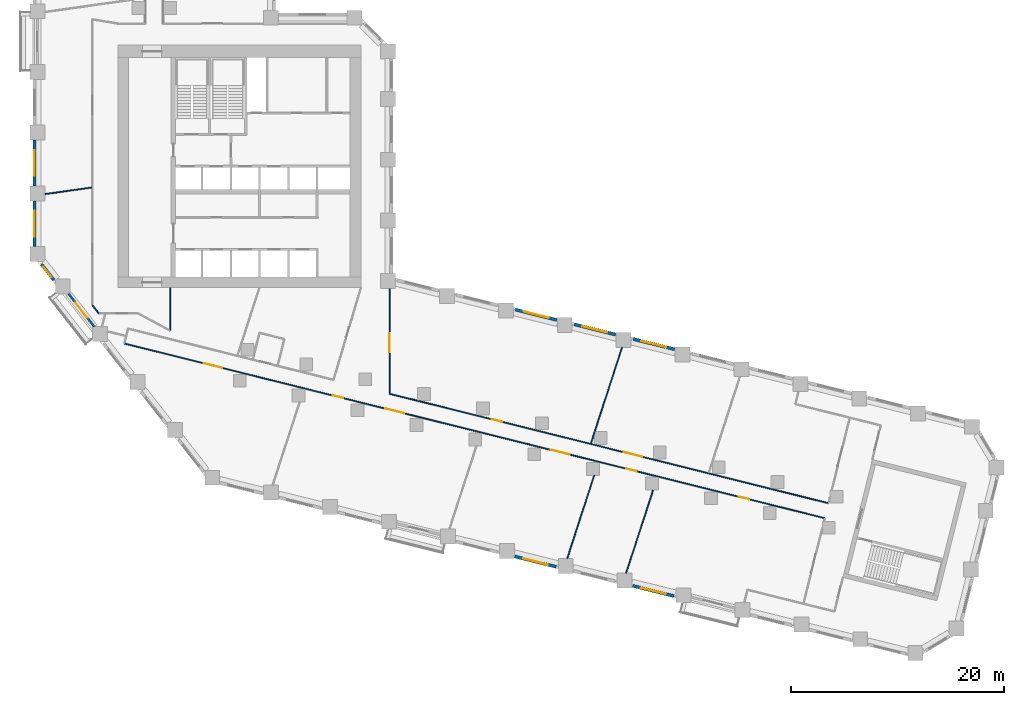
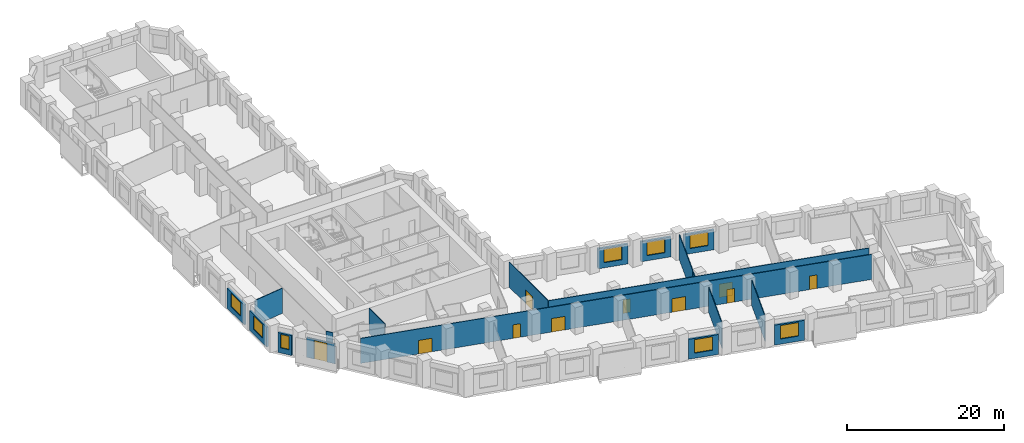
# One storey, part 4 of 12: 19 walls, 10 doors, 8 windows, 18 openings.
"""IFC4 building model written with IfcOpenShell, lengths in metres."""

from ifc_helpers import new_model, si_unit, direction, frame, frame_2d, origin, place, context, subcontext, project, spatial, rectangle, extrude, material, layer, layer_set, type_object, element, fill, save


model = new_model("IFC4")

# Units and contexts
model_context = context("Model", 3, precision=1e-05, world=origin(), true_north=direction((0.0, 1.0)))
body_context = subcontext(model_context, "Body", "Model", "MODEL_VIEW")
ifc_project = project(units=[si_unit("LENGTHUNIT", "METRE"), si_unit("AREAUNIT", "SQUARE_METRE"), si_unit("VOLUMEUNIT", "CUBIC_METRE"), si_unit("PLANEANGLEUNIT", "RADIAN"), si_unit("MASSUNIT", "GRAM", prefix="KILO")], contexts=[model_context])

# Site, building, storey
site_placement = place(None, origin())
site = spatial("IfcSite", under=ifc_project, at=site_placement, CompositionType="ELEMENT")
building_placement = place(site_placement, origin())
building = spatial("IfcBuilding", under=site, at=building_placement, Name="Meshkara Civic Tower", CompositionType="ELEMENT")
storey_placement = place(building_placement, frame((0.0, 0.0, 58.199951171875)))
storey = spatial("IfcBuildingStorey", under=building, at=storey_placement, Name="L12", CompositionType="ELEMENT", Elevation=58.199951171875)

# Wall
ifc_material_1 = material(Name="Corridor wall 100")
ifc_layer_1 = layer(ifc_material_1, 0.10009765625)
ifc_layer_set_1 = layer_set([ifc_layer_1], Name="Corridor wall 100")
wall_type_1 = type_object("IfcWallType", Name="Corridor wall 100", PredefinedType="PARTITIONING", material=ifc_layer_set_1)
wall_1_placement = place(storey_placement, frame((5.60009765625, 12.448974609375, 0.0), z_axis=(0.0, 0.0, 1.0), x_axis=(0.615504449569, -0.788133410383, 0.0)))
element("IfcWall", 1, at=wall_1_placement, inside=storey, type_object=wall_type_1, Name="L12-W003", PredefinedType="PARTITIONING", context=body_context, shape_type="SweptSolid", body=[
    extrude(rectangle(XDim=0.950439453125, YDim=0.10009765625, at=frame_2d((0.47509765625, 0.0))), origin(), (0.0, 0.0, 1.0), 3.900146484375),
])

# Wall, openings, doors
wall_2_placement = place(storey_placement, frame((8.593994140625, 8.862060546875, 0.0), z_axis=(0.0, 0.0, 1.0), x_axis=(0.970293392615, -0.241931255211, 0.0)))
wall_2 = element("IfcWall", 2, at=wall_2_placement, inside=storey, type_object=wall_type_1, Name="L12-W008", PredefinedType="PARTITIONING", context=body_context, shape_type="SweptSolid", body=[
    extrude(rectangle(XDim=67.775390625, YDim=0.10009765625, at=frame_2d((33.8876953125, 0.0))), origin(), (0.0, 0.0, 1.0), 3.900146484375),
])
opening_1_placement = place(wall_2_placement, frame((41.27099609375, 0.0, 0.0)))
opening_1 = element("IfcOpeningElement", 3, at=opening_1_placement, cuts=wall_2, Name="Opening L12-D003", PredefinedType="OPENING", context=body_context, shape_type="SweptSolid", body=[
    extrude(rectangle(XDim=1.800048828125, YDim=2.10009765625, at=frame_2d((0.89990234375, 1.050048828125))), frame((0.0, 0.06005859375, 0.0), z_axis=(0.0, -1.0, 0.0), x_axis=(1.0, 0.0, 0.0)), (0.0, 0.0, 1.0), 0.1201171875),
])
opening_2_placement = place(wall_2_placement, frame((48.571044921875, 0.0, 0.0)))
opening_2 = element("IfcOpeningElement", 4, at=opening_2_placement, cuts=wall_2, Name="Opening L12-D004", PredefinedType="OPENING", context=body_context, shape_type="SweptSolid", body=[
    extrude(rectangle(XDim=1.0, YDim=2.10009765625, at=frame_2d((0.5, 1.050048828125))), frame((0.0, 0.06005859375, 0.0), z_axis=(0.0, -1.0, 0.0), x_axis=(1.0, 0.0, 0.0)), (0.0, 0.0, 1.0), 0.1201171875),
])
opening_3_placement = place(wall_2_placement, frame((59.470947265625, 0.0, 0.0)))
opening_3 = element("IfcOpeningElement", 5, at=opening_3_placement, cuts=wall_2, Name="Opening L12-D006", PredefinedType="OPENING", context=body_context, shape_type="SweptSolid", body=[
    extrude(rectangle(XDim=1.0, YDim=2.10009765625, at=frame_2d((0.5, 1.050048828125))), frame((0.0, 0.06005859375, 0.0), z_axis=(0.0, -1.0, 0.0), x_axis=(1.0, 0.0, 0.0)), (0.0, 0.0, 1.0), 0.1201171875),
])
opening_4_placement = place(wall_2_placement, frame((20.1708984375, 0.0, 0.0)))
opening_4 = element("IfcOpeningElement", 6, at=opening_4_placement, cuts=wall_2, Name="Opening L12-D009", PredefinedType="OPENING", context=body_context, shape_type="SweptSolid", body=[
    extrude(rectangle(XDim=1.0, YDim=2.10009765625, at=frame_2d((0.5, 1.050048828125))), frame((0.0, 0.06005859375, 0.0), z_axis=(0.0, -1.0, 0.0), x_axis=(1.0, 0.0, 0.0)), (0.0, 0.0, 1.0), 0.1201171875),
])
opening_5_placement = place(wall_2_placement, frame((25.27099609375, 0.0, 0.0)))
opening_5 = element("IfcOpeningElement", 7, at=opening_5_placement, cuts=wall_2, Name="Opening L12-D010", PredefinedType="OPENING", context=body_context, shape_type="SweptSolid", body=[
    extrude(rectangle(XDim=1.800048828125, YDim=2.10009765625, at=frame_2d((0.89990234375, 1.050048828125))), frame((0.0, 0.06005859375, 0.0), z_axis=(0.0, -1.0, 0.0), x_axis=(1.0, 0.0, 0.0)), (0.0, 0.0, 1.0), 0.1201171875),
])
opening_6_placement = place(wall_2_placement, frame((7.679931640625, 0.0, 0.0)))
opening_6 = element("IfcOpeningElement", 8, at=opening_6_placement, cuts=wall_2, Name="Opening L12-D013", PredefinedType="OPENING", context=body_context, shape_type="SweptSolid", body=[
    extrude(rectangle(XDim=1.800048828125, YDim=2.10009765625, at=frame_2d((0.89990234375, 1.050048828125))), frame((0.0, 0.06005859375, 0.0), z_axis=(0.0, -1.0, 0.0), x_axis=(1.0, 0.0, 0.0)), (0.0, 0.0, 1.0), 0.1201171875),
])
ifc_material_2 = material(Name="Door 1000 x 2100")
door_type_1 = type_object("IfcDoorType", Name="Door 1000 x 2100", OperationType="SINGLE_SWING_LEFT", PredefinedType="DOOR", material=ifc_material_2)
door_1_placement = place(opening_2_placement, origin())
door_1 = element("IfcDoor", 9, at=door_1_placement, inside=storey, type_object=door_type_1, Name="L12-D004", OperationType="SINGLE_SWING_LEFT", OverallHeight=2.10009765625, OverallWidth=1.0, PredefinedType="DOOR", context=body_context, shape_type="SweptSolid", body=[
    extrude(rectangle(XDim=1.0, YDim=2.10009765625, at=frame_2d((0.5, 1.050048828125))), frame((0.0, 0.02490234375, 0.0), z_axis=(0.0, -1.0, 0.0), x_axis=(1.0, 0.0, 0.0)), (0.0, 0.0, 1.0), 0.050048828125),
])
fill(opening_2, door_1)
door_2_placement = place(opening_3_placement, origin())
door_2 = element("IfcDoor", 10, at=door_2_placement, inside=storey, type_object=door_type_1, Name="L12-D006", OperationType="SINGLE_SWING_LEFT", OverallHeight=2.10009765625, OverallWidth=1.0, PredefinedType="DOOR", context=body_context, shape_type="SweptSolid", body=[
    extrude(rectangle(XDim=1.0, YDim=2.10009765625, at=frame_2d((0.5, 1.050048828125))), frame((0.0, 0.02490234375, 0.0), z_axis=(0.0, -1.0, 0.0), x_axis=(1.0, 0.0, 0.0)), (0.0, 0.0, 1.0), 0.050048828125),
])
fill(opening_3, door_2)
door_3_placement = place(opening_4_placement, origin())
door_3 = element("IfcDoor", 11, at=door_3_placement, inside=storey, type_object=door_type_1, Name="L12-D009", OperationType="SINGLE_SWING_RIGHT", OverallHeight=2.10009765625, OverallWidth=1.0, PredefinedType="DOOR", context=body_context, shape_type="SweptSolid", body=[
    extrude(rectangle(XDim=1.0, YDim=2.10009765625, at=frame_2d((0.5, 1.050048828125))), frame((0.0, 0.02490234375, 0.0), z_axis=(0.0, -1.0, 0.0), x_axis=(1.0, 0.0, 0.0)), (0.0, 0.0, 1.0), 0.050048828125),
])
fill(opening_4, door_3)
ifc_material_3 = material(Name="Door pair 1800 x 2100")
door_type_2 = type_object("IfcDoorType", Name="Door pair 1800 x 2100", OperationType="SINGLE_SWING_LEFT", PredefinedType="DOOR", material=ifc_material_3)
door_4_placement = place(opening_1_placement, origin())
door_4 = element("IfcDoor", 12, at=door_4_placement, inside=storey, type_object=door_type_2, Name="L12-D003", OperationType="DOUBLE_DOOR_SINGLE_SWING", OverallHeight=2.10009765625, OverallWidth=1.800048828125, PredefinedType="DOOR", context=body_context, shape_type="SweptSolid", body=[
    extrude(rectangle(XDim=1.800048828125, YDim=2.10009765625, at=frame_2d((0.89990234375, 1.050048828125))), frame((0.0, 0.02490234375, 0.0), z_axis=(0.0, -1.0, 0.0), x_axis=(1.0, 0.0, 0.0)), (0.0, 0.0, 1.0), 0.050048828125),
])
fill(opening_1, door_4)
door_5_placement = place(opening_5_placement, origin())
door_5 = element("IfcDoor", 13, at=door_5_placement, inside=storey, type_object=door_type_2, Name="L12-D010", OperationType="DOUBLE_DOOR_SINGLE_SWING", OverallHeight=2.10009765625, OverallWidth=1.800048828125, PredefinedType="DOOR", context=body_context, shape_type="SweptSolid", body=[
    extrude(rectangle(XDim=1.800048828125, YDim=2.10009765625, at=frame_2d((0.89990234375, 1.050048828125))), frame((0.0, 0.02490234375, 0.0), z_axis=(0.0, -1.0, 0.0), x_axis=(1.0, 0.0, 0.0)), (0.0, 0.0, 1.0), 0.050048828125),
])
fill(opening_5, door_5)
door_6_placement = place(opening_6_placement, origin())
door_6 = element("IfcDoor", 14, at=door_6_placement, inside=storey, type_object=door_type_2, Name="L12-D013", OperationType="DOUBLE_DOOR_SINGLE_SWING", OverallHeight=2.10009765625, OverallWidth=1.800048828125, PredefinedType="DOOR", context=body_context, shape_type="SweptSolid", body=[
    extrude(rectangle(XDim=1.800048828125, YDim=2.10009765625, at=frame_2d((0.89990234375, 1.050048828125))), frame((0.0, 0.02490234375, 0.0), z_axis=(0.0, -1.0, 0.0), x_axis=(1.0, 0.0, 0.0)), (0.0, 0.0, 1.0), 0.050048828125),
])
fill(opening_6, door_6)

# Wall
wall_3_placement = place(storey_placement, frame((12.89990234375, 10.077880859375, 0.0), z_axis=(0.0, 0.0, 1.0), x_axis=(0.0, 1.0, 0.0)))
element("IfcWall", 15, at=wall_3_placement, inside=storey, type_object=wall_type_1, Name="L12-W015", PredefinedType="PARTITIONING", context=body_context, shape_type="SweptSolid", body=[
    extrude(rectangle(XDim=4.022216796875, YDim=0.10009765625, at=frame_2d((2.01123046875, 0.0))), origin(), (0.0, 0.0, 1.0), 3.900146484375),
])

# Wall, openings, doors
wall_4_placement = place(storey_placement, frame((33.5, 4.14111328125, 0.0), z_axis=(0.0, 0.0, 1.0), x_axis=(0.970297862511, -0.241913327467, 0.0)))
wall_4 = element("IfcWall", 16, at=wall_4_placement, inside=storey, type_object=wall_type_1, Name="L12-W022", PredefinedType="PARTITIONING", context=body_context, shape_type="SweptSolid", body=[
    extrude(rectangle(XDim=42.46630859375, YDim=0.10009765625, at=frame_2d((21.233154296875, 0.0))), origin(), (0.0, 0.0, 1.0), 3.900146484375),
])
opening_7_placement = place(wall_4_placement, frame((22.64111328125, 0.0, 0.0)))
opening_7 = element("IfcOpeningElement", 17, at=opening_7_placement, cuts=wall_4, Name="Opening L12-D005", PredefinedType="OPENING", context=body_context, shape_type="SweptSolid", body=[
    extrude(rectangle(XDim=1.800048828125, YDim=2.10009765625, at=frame_2d((0.89990234375, 1.050048828125))), frame((0.0, 0.06005859375, 0.0), z_axis=(0.0, -1.0, 0.0), x_axis=(1.0, 0.0, 0.0)), (0.0, 0.0, 1.0), 0.1201171875),
])
opening_8_placement = place(wall_4_placement, frame((9.8798828125, 0.0, 0.0)))
opening_8 = element("IfcOpeningElement", 18, at=opening_8_placement, cuts=wall_4, Name="Opening L12-D011", PredefinedType="OPENING", context=body_context, shape_type="SweptSolid", body=[
    extrude(rectangle(XDim=1.0, YDim=2.10009765625, at=frame_2d((0.5, 1.050048828125))), frame((0.0, 0.06005859375, 0.0), z_axis=(0.0, -1.0, 0.0), x_axis=(1.0, 0.0, 0.0)), (0.0, 0.0, 1.0), 0.1201171875),
])
door_7_placement = place(opening_8_placement, origin())
door_7 = element("IfcDoor", 19, at=door_7_placement, inside=storey, type_object=door_type_1, Name="L12-D011", OperationType="SINGLE_SWING_RIGHT", OverallHeight=2.10009765625, OverallWidth=1.0, PredefinedType="DOOR", context=body_context, shape_type="SweptSolid", body=[
    extrude(rectangle(XDim=1.0, YDim=2.10009765625, at=frame_2d((0.5, 1.050048828125))), frame((0.0, 0.02490234375, 0.0), z_axis=(0.0, -1.0, 0.0), x_axis=(1.0, 0.0, 0.0)), (0.0, 0.0, 1.0), 0.050048828125),
])
fill(opening_8, door_7)
door_8_placement = place(opening_7_placement, origin())
door_8 = element("IfcDoor", 20, at=door_8_placement, inside=storey, type_object=door_type_2, Name="L12-D005", OperationType="DOUBLE_DOOR_SINGLE_SWING", OverallHeight=2.10009765625, OverallWidth=1.800048828125, PredefinedType="DOOR", context=body_context, shape_type="SweptSolid", body=[
    extrude(rectangle(XDim=1.800048828125, YDim=2.10009765625, at=frame_2d((0.89990234375, 1.050048828125))), frame((0.0, 0.02490234375, 0.0), z_axis=(0.0, -1.0, 0.0), x_axis=(1.0, 0.0, 0.0)), (0.0, 0.0, 1.0), 0.050048828125),
])
fill(opening_7, door_8)

# Wall, opening, door
wall_5_placement = place(storey_placement, frame((33.5, 4.14111328125, 0.0), z_axis=(0.0, 0.0, 1.0), x_axis=(0.0, 1.0, 0.0)))
wall_5 = element("IfcWall", 21, at=wall_5_placement, inside=storey, type_object=wall_type_1, Name="L12-W023", PredefinedType="PARTITIONING", context=body_context, shape_type="SweptSolid", body=[
    extrude(rectangle(XDim=9.8779296875, YDim=0.10009765625, at=frame_2d((4.93896484375, 0.0))), origin(), (0.0, 0.0, 1.0), 3.900146484375),
])
opening_9_placement = place(wall_5_placement, frame((3.8798828125, 0.0, 0.0)))
opening_9 = element("IfcOpeningElement", 22, at=opening_9_placement, cuts=wall_5, Name="Opening L12-D016", PredefinedType="OPENING", context=body_context, shape_type="SweptSolid", body=[
    extrude(rectangle(XDim=1.800048828125, YDim=2.10009765625, at=frame_2d((0.89990234375, 1.050048828125))), frame((0.0, 0.06005859375, 0.0), z_axis=(0.0, -1.0, 0.0), x_axis=(1.0, 0.0, 0.0)), (0.0, 0.0, 1.0), 0.1201171875),
])
door_9_placement = place(opening_9_placement, origin())
door_9 = element("IfcDoor", 23, at=door_9_placement, inside=storey, type_object=door_type_2, Name="L12-D016", OperationType="DOUBLE_DOOR_SINGLE_SWING", OverallHeight=2.10009765625, OverallWidth=1.800048828125, PredefinedType="DOOR", context=body_context, shape_type="SweptSolid", body=[
    extrude(rectangle(XDim=1.800048828125, YDim=2.10009765625, at=frame_2d((0.89990234375, 1.050048828125))), frame((0.0, 0.02490234375, 0.0), z_axis=(0.0, -1.0, 0.0), x_axis=(1.0, 0.0, 0.0)), (0.0, 0.0, 1.0), 0.050048828125),
])
fill(opening_9, door_9)

# Wall, opening, window
ifc_material_4 = material(Name="Insulated infill panel with bronze anodised aluminium cladding", Category="aluminium")
ifc_layer_2 = layer(ifc_material_4, 0.300048828125)
ifc_layer_set_2 = layer_set([ifc_layer_2], Name="EXTERNAL INFILL WALL 300")
wall_type_2 = type_object("IfcWallType", Name="EXTERNAL INFILL WALL 300", PredefinedType="SOLIDWALL", material=ifc_layer_set_2)
wall_6_placement = place(storey_placement, frame((60.251953125, 8.321044921875, 0.0), z_axis=(0.0, 0.0, 1.0), x_axis=(-0.970303772127, 0.241889623168, 0.0)))
wall_6 = element("IfcWall", 24, at=wall_6_placement, inside=storey, type_object=wall_type_2, Name="External wall", PredefinedType="SOLIDWALL", context=body_context, shape_type="SweptSolid", body=[
    extrude(rectangle(XDim=4.001953125, YDim=0.300048828125, at=frame_2d((2.0009765625, 0.0))), origin(), (0.0, 0.0, 1.0), 3.10009765625),
])
opening_10_placement = place(wall_6_placement, frame((0.801025390625, 0.0, 0.800048828125)))
opening_10 = element("IfcOpeningElement", 25, at=opening_10_placement, cuts=wall_6, Name="Opening W7", PredefinedType="OPENING", context=body_context, shape_type="SweptSolid", body=[
    extrude(rectangle(XDim=2.39990234375, YDim=2.10009765625, at=frame_2d((1.199951171875, 1.050048828125))), frame((0.0, 0.159912109375, 0.0), z_axis=(0.0, -1.0, 0.0), x_axis=(1.0, 0.0, 0.0)), (0.0, 0.0, 1.0), 0.320068359375),
])
ifc_material_5 = material(Name="Tinted double glazing", Category="glass")
window_type_1 = type_object("IfcWindowType", Name="WINDOW 2400x2100", PartitioningType="DOUBLE_PANEL_VERTICAL", PredefinedType="WINDOW", material=ifc_material_5)
window_1_placement = place(opening_10_placement, origin())
window_1 = element("IfcWindow", 26, at=window_1_placement, inside=storey, type_object=window_type_1, Name="Window", OverallHeight=2.10009765625, OverallWidth=2.39990234375, PartitioningType="DOUBLE_PANEL_VERTICAL", PredefinedType="WINDOW", context=body_context, shape_type="SweptSolid", body=[
    extrude(rectangle(XDim=2.39990234375, YDim=2.10009765625, at=frame_2d((1.199951171875, 1.050048828125))), frame((0.0, 0.030029296875, 0.0), z_axis=(0.0, -1.0, 0.0), x_axis=(1.0, 0.0, 0.0)), (0.0, 0.0, 1.0), 0.06005859375),
])
fill(opening_10, window_1)

wall_7_placement = place(storey_placement, frame((54.721923828125, 9.699951171875, 0.0), z_axis=(0.0, 0.0, 1.0), x_axis=(-0.970318045095, 0.24183236211, 0.0)))
wall_7 = element("IfcWall", 27, at=wall_7_placement, inside=storey, type_object=wall_type_2, Name="External wall", PredefinedType="SOLIDWALL", context=body_context, shape_type="SweptSolid", body=[
    extrude(rectangle(XDim=4.0029296875, YDim=0.300048828125, at=frame_2d((2.00146484375, 0.0))), origin(), (0.0, 0.0, 1.0), 3.10009765625),
])
opening_11_placement = place(wall_7_placement, frame((0.802001953125, 0.0, 0.800048828125)))
opening_11 = element("IfcOpeningElement", 28, at=opening_11_placement, cuts=wall_7, Name="Opening W7", PredefinedType="OPENING", context=body_context, shape_type="SweptSolid", body=[
    extrude(rectangle(XDim=2.39990234375, YDim=2.10009765625, at=frame_2d((1.199951171875, 1.050048828125))), frame((0.0, 0.159912109375, 0.0), z_axis=(0.0, -1.0, 0.0), x_axis=(1.0, 0.0, 0.0)), (0.0, 0.0, 1.0), 0.320068359375),
])
window_2_placement = place(opening_11_placement, origin())
window_2 = element("IfcWindow", 29, at=window_2_placement, inside=storey, type_object=window_type_1, Name="Window", OverallHeight=2.10009765625, OverallWidth=2.39990234375, PartitioningType="DOUBLE_PANEL_VERTICAL", PredefinedType="WINDOW", context=body_context, shape_type="SweptSolid", body=[
    extrude(rectangle(XDim=2.39990234375, YDim=2.10009765625, at=frame_2d((1.199951171875, 1.050048828125))), frame((0.0, 0.030029296875, 0.0), z_axis=(0.0, -1.0, 0.0), x_axis=(1.0, 0.0, 0.0)), (0.0, 0.0, 1.0), 0.06005859375),
])
fill(opening_11, window_2)

wall_8_placement = place(storey_placement, frame((49.19091796875, 11.0791015625, 0.0), z_axis=(0.0, 0.0, 1.0), x_axis=(-0.970318045095, 0.24183236211, 0.0)))
wall_8 = element("IfcWall", 30, at=wall_8_placement, inside=storey, type_object=wall_type_2, Name="External wall", PredefinedType="SOLIDWALL", context=body_context, shape_type="SweptSolid", body=[
    extrude(rectangle(XDim=4.0029296875, YDim=0.300048828125, at=frame_2d((2.00146484375, 0.0))), origin(), (0.0, 0.0, 1.0), 3.10009765625),
])
opening_12_placement = place(wall_8_placement, frame((0.802001953125, 0.0, 0.800048828125)))
opening_12 = element("IfcOpeningElement", 31, at=opening_12_placement, cuts=wall_8, Name="Opening W7", PredefinedType="OPENING", context=body_context, shape_type="SweptSolid", body=[
    extrude(rectangle(XDim=2.39990234375, YDim=2.10009765625, at=frame_2d((1.199951171875, 1.050048828125))), frame((0.0, 0.159912109375, 0.0), z_axis=(0.0, -1.0, 0.0), x_axis=(1.0, 0.0, 0.0)), (0.0, 0.0, 1.0), 0.320068359375),
])
window_3_placement = place(opening_12_placement, origin())
window_3 = element("IfcWindow", 32, at=window_3_placement, inside=storey, type_object=window_type_1, Name="Window", OverallHeight=2.10009765625, OverallWidth=2.39990234375, PartitioningType="DOUBLE_PANEL_VERTICAL", PredefinedType="WINDOW", context=body_context, shape_type="SweptSolid", body=[
    extrude(rectangle(XDim=2.39990234375, YDim=2.10009765625, at=frame_2d((1.199951171875, 1.050048828125))), frame((0.0, 0.030029296875, 0.0), z_axis=(0.0, -1.0, 0.0), x_axis=(1.0, 0.0, 0.0)), (0.0, 0.0, 1.0), 0.06005859375),
])
fill(opening_12, window_3)

wall_9_placement = place(storey_placement, frame((0.14990234375, 27.955078125, 0.0), z_axis=(0.0, 0.0, 1.0), x_axis=(0.0, -1.0, 0.0)))
wall_9 = element("IfcWall", 33, at=wall_9_placement, inside=storey, type_object=wall_type_2, Name="External wall", PredefinedType="SOLIDWALL", context=body_context, shape_type="SweptSolid", body=[
    extrude(rectangle(XDim=4.300048828125, YDim=0.300048828125, at=frame_2d((2.14990234375, 0.0))), origin(), (0.0, 0.0, 1.0), 3.10009765625),
])
opening_13_placement = place(wall_9_placement, frame((0.949951171875, 0.0, 0.800048828125)))
opening_13 = element("IfcOpeningElement", 34, at=opening_13_placement, cuts=wall_9, Name="Opening W7", PredefinedType="OPENING", context=body_context, shape_type="SweptSolid", body=[
    extrude(rectangle(XDim=2.39990234375, YDim=2.10009765625, at=frame_2d((1.199951171875, 1.050048828125))), frame((0.0, 0.159912109375, 0.0), z_axis=(0.0, -1.0, 0.0), x_axis=(1.0, 0.0, 0.0)), (0.0, 0.0, 1.0), 0.320068359375),
])
window_4_placement = place(opening_13_placement, origin())
window_4 = element("IfcWindow", 35, at=window_4_placement, inside=storey, type_object=window_type_1, Name="Window", OverallHeight=2.10009765625, OverallWidth=2.39990234375, PartitioningType="DOUBLE_PANEL_VERTICAL", PredefinedType="WINDOW", context=body_context, shape_type="SweptSolid", body=[
    extrude(rectangle(XDim=2.39990234375, YDim=2.10009765625, at=frame_2d((1.199951171875, 1.050048828125))), frame((0.0, 0.030029296875, 0.0), z_axis=(0.0, -1.0, 0.0), x_axis=(1.0, 0.0, 0.0)), (0.0, 0.0, 1.0), 0.06005859375),
])
fill(opening_13, window_4)

wall_10_placement = place(storey_placement, frame((0.14990234375, 22.2548828125, 0.0), z_axis=(0.0, 0.0, 1.0), x_axis=(0.0, -1.0, 0.0)))
wall_10 = element("IfcWall", 36, at=wall_10_placement, inside=storey, type_object=wall_type_2, Name="External wall", PredefinedType="SOLIDWALL", context=body_context, shape_type="SweptSolid", body=[
    extrude(rectangle(XDim=4.2998046875, YDim=0.300048828125, at=frame_2d((2.14990234375, 0.0))), origin(), (0.0, 0.0, 1.0), 3.10009765625),
])
opening_14_placement = place(wall_10_placement, frame((0.949951171875, 0.0, 0.800048828125)))
opening_14 = element("IfcOpeningElement", 37, at=opening_14_placement, cuts=wall_10, Name="Opening W7", PredefinedType="OPENING", context=body_context, shape_type="SweptSolid", body=[
    extrude(rectangle(XDim=2.39990234375, YDim=2.10009765625, at=frame_2d((1.199951171875, 1.050048828125))), frame((0.0, 0.159912109375, 0.0), z_axis=(0.0, -1.0, 0.0), x_axis=(1.0, 0.0, 0.0)), (0.0, 0.0, 1.0), 0.320068359375),
])
window_5_placement = place(opening_14_placement, origin())
window_5 = element("IfcWindow", 38, at=window_5_placement, inside=storey, type_object=window_type_1, Name="Window", OverallHeight=2.10009765625, OverallWidth=2.39990234375, PartitioningType="DOUBLE_PANEL_VERTICAL", PredefinedType="WINDOW", context=body_context, shape_type="SweptSolid", body=[
    extrude(rectangle(XDim=2.39990234375, YDim=2.10009765625, at=frame_2d((1.199951171875, 1.050048828125))), frame((0.0, 0.030029296875, 0.0), z_axis=(0.0, -1.0, 0.0), x_axis=(1.0, 0.0, 0.0)), (0.0, 0.0, 1.0), 0.06005859375),
])
fill(opening_14, window_5)

wall_11_placement = place(storey_placement, frame((0.818115234375, 16.2958984375, 0.0), z_axis=(0.0, 0.0, 1.0), x_axis=(0.615985155343, -0.787757759973, 0.0)))
wall_11 = element("IfcWall", 39, at=wall_11_placement, inside=storey, type_object=wall_type_2, Name="External wall", PredefinedType="SOLIDWALL", context=body_context, shape_type="SweptSolid", body=[
    extrude(rectangle(XDim=1.874755859375, YDim=0.300048828125, at=frame_2d((0.9375, 0.0))), origin(), (0.0, 0.0, 1.0), 3.10009765625),
])
opening_15_placement = place(wall_11_placement, frame((0.3369140625, 0.0, 0.800048828125)))
opening_15 = element("IfcOpeningElement", 40, at=opening_15_placement, cuts=wall_11, Name="Opening W3", PredefinedType="OPENING", context=body_context, shape_type="SweptSolid", body=[
    extrude(rectangle(XDim=1.199951171875, YDim=2.10009765625, at=frame_2d((0.60009765625, 1.050048828125))), frame((0.0, 0.159912109375, 0.0), z_axis=(0.0, -1.0, 0.0), x_axis=(1.0, 0.0, 0.0)), (0.0, 0.0, 1.0), 0.320068359375),
])
ifc_material_6 = material(Name="Tinted double glazing", Category="glass")
window_type_2 = type_object("IfcWindowType", Name="WINDOW 1200x2100", PartitioningType="SINGLE_PANEL", PredefinedType="WINDOW", material=ifc_material_6)
window_6_placement = place(opening_15_placement, origin())
window_6 = element("IfcWindow", 41, at=window_6_placement, inside=storey, type_object=window_type_2, Name="Window", OverallHeight=2.10009765625, OverallWidth=1.199951171875, PartitioningType="SINGLE_PANEL", PredefinedType="WINDOW", context=body_context, shape_type="SweptSolid", body=[
    extrude(rectangle(XDim=1.199951171875, YDim=2.10009765625, at=frame_2d((0.60009765625, 1.050048828125))), frame((0.0, 0.030029296875, 0.0), z_axis=(0.0, -1.0, 0.0), x_axis=(1.0, 0.0, 0.0)), (0.0, 0.0, 1.0), 0.06005859375),
])
fill(opening_15, window_6)

wall_12_placement = place(storey_placement, frame((45.256103515625, -11.12890625, 0.0), z_axis=(0.0, 0.0, 1.0), x_axis=(0.970300202301, -0.241903942538, 0.0)))
wall_12 = element("IfcWall", 42, at=wall_12_placement, inside=storey, type_object=wall_type_2, Name="External wall", PredefinedType="SOLIDWALL", context=body_context, shape_type="SweptSolid", body=[
    extrude(rectangle(XDim=4.001708984375, YDim=0.300048828125, at=frame_2d((2.0009765625, 0.0))), origin(), (0.0, 0.0, 1.0), 3.10009765625),
])
opening_16_placement = place(wall_12_placement, frame((0.801025390625, 0.0, 0.800048828125)))
opening_16 = element("IfcOpeningElement", 43, at=opening_16_placement, cuts=wall_12, Name="Opening W7", PredefinedType="OPENING", context=body_context, shape_type="SweptSolid", body=[
    extrude(rectangle(XDim=2.39990234375, YDim=2.10009765625, at=frame_2d((1.199951171875, 1.050048828125))), frame((0.0, 0.159912109375, 0.0), z_axis=(0.0, -1.0, 0.0), x_axis=(1.0, 0.0, 0.0)), (0.0, 0.0, 1.0), 0.320068359375),
])
window_7_placement = place(opening_16_placement, origin())
window_7 = element("IfcWindow", 44, at=window_7_placement, inside=storey, type_object=window_type_1, Name="Window", OverallHeight=2.10009765625, OverallWidth=2.39990234375, PartitioningType="DOUBLE_PANEL_VERTICAL", PredefinedType="WINDOW", context=body_context, shape_type="SweptSolid", body=[
    extrude(rectangle(XDim=2.39990234375, YDim=2.10009765625, at=frame_2d((1.199951171875, 1.050048828125))), frame((0.0, 0.030029296875, 0.0), z_axis=(0.0, -1.0, 0.0), x_axis=(1.0, 0.0, 0.0)), (0.0, 0.0, 1.0), 0.06005859375),
])
fill(opening_16, window_7)

wall_13_placement = place(storey_placement, frame((56.31689453125, -13.886962890625, 0.0), z_axis=(0.0, 0.0, 1.0), x_axis=(0.970318045095, -0.24183236211, 0.0)))
wall_13 = element("IfcWall", 45, at=wall_13_placement, inside=storey, type_object=wall_type_2, Name="External wall", PredefinedType="SOLIDWALL", context=body_context, shape_type="SweptSolid", body=[
    extrude(rectangle(XDim=4.0029296875, YDim=0.300048828125, at=frame_2d((2.00146484375, 0.0))), origin(), (0.0, 0.0, 1.0), 3.10009765625),
])
opening_17_placement = place(wall_13_placement, frame((0.802001953125, 0.0, 0.800048828125)))
opening_17 = element("IfcOpeningElement", 46, at=opening_17_placement, cuts=wall_13, Name="Opening W7", PredefinedType="OPENING", context=body_context, shape_type="SweptSolid", body=[
    extrude(rectangle(XDim=2.39990234375, YDim=2.10009765625, at=frame_2d((1.199951171875, 1.050048828125))), frame((0.0, 0.159912109375, 0.0), z_axis=(0.0, -1.0, 0.0), x_axis=(1.0, 0.0, 0.0)), (0.0, 0.0, 1.0), 0.320068359375),
])
window_8_placement = place(opening_17_placement, origin())
window_8 = element("IfcWindow", 47, at=window_8_placement, inside=storey, type_object=window_type_1, Name="Window", OverallHeight=2.10009765625, OverallWidth=2.39990234375, PartitioningType="DOUBLE_PANEL_VERTICAL", PredefinedType="WINDOW", context=body_context, shape_type="SweptSolid", body=[
    extrude(rectangle(XDim=2.39990234375, YDim=2.10009765625, at=frame_2d((1.199951171875, 1.050048828125))), frame((0.0, 0.030029296875, 0.0), z_axis=(0.0, -1.0, 0.0), x_axis=(1.0, 0.0, 0.0)), (0.0, 0.0, 1.0), 0.06005859375),
])
fill(opening_17, window_8)

# Wall, opening, door
ifc_material_7 = material(Name="Insulated infill panel with bronze anodised aluminium cladding", Category="aluminium")
ifc_layer_3 = layer(ifc_material_7, 0.199951171875)
ifc_layer_set_3 = layer_set([ifc_layer_3], Name="LOGGIA BACK WALL 200")
wall_type_3 = type_object("IfcWallType", Name="LOGGIA BACK WALL 200", PredefinedType="SOLIDWALL", material=ifc_layer_set_3)
wall_14_placement = place(storey_placement, frame((3.361083984375, 13.529052734375, 0.0), z_axis=(0.0, 0.0, 1.0), x_axis=(0.615507574125, -0.788130970204, 0.0)))
wall_14 = element("IfcWall", 48, at=wall_14_placement, inside=storey, type_object=wall_type_3, Name="Loggia wall", PredefinedType="SOLIDWALL", context=body_context, shape_type="SweptSolid", body=[
    extrude(rectangle(XDim=3.92333984375, YDim=0.199951171875, at=frame_2d((1.961669921875, 0.0))), origin(), (0.0, 0.0, 1.0), 3.10009765625),
])
opening_18_placement = place(wall_14_placement, frame((1.06103515625, 0.0, 0.0)))
opening_18 = element("IfcOpeningElement", 49, at=opening_18_placement, cuts=wall_14, Name="Opening L12-L003", PredefinedType="OPENING", context=body_context, shape_type="SweptSolid", body=[
    extrude(rectangle(XDim=1.800048828125, YDim=2.89990234375, at=frame_2d((0.89990234375, 1.449951171875))), frame((0.0, 0.10986328125, 0.0), z_axis=(0.0, -1.0, 0.0), x_axis=(1.0, 0.0, 0.0)), (0.0, 0.0, 1.0), 0.219970703125),
])
ifc_material_8 = material(Name="Tinted double glazing", Category="glass")
door_type_3 = type_object("IfcDoorType", Name="LOGGIA DOOR 1800x2900", OperationType="DOUBLE_DOOR_SINGLE_SWING", PredefinedType="DOOR", material=ifc_material_8)
door_10_placement = place(opening_18_placement, origin())
door_10 = element("IfcDoor", 50, at=door_10_placement, inside=storey, type_object=door_type_3, Name="L12-L003", OperationType="DOUBLE_DOOR_SINGLE_SWING", OverallHeight=2.89990234375, OverallWidth=1.800048828125, PredefinedType="DOOR", context=body_context, shape_type="SweptSolid", body=[
    extrude(rectangle(XDim=1.800048828125, YDim=2.89990234375, at=frame_2d((0.89990234375, 1.449951171875))), frame((0.0, 0.02490234375, 0.0), z_axis=(0.0, -1.0, 0.0), x_axis=(1.0, 0.0, 0.0)), (0.0, 0.0, 1.0), 0.050048828125),
])
fill(opening_18, door_10)

# Walls
ifc_material_9 = material(Name="Partition 100")
ifc_layer_4 = layer(ifc_material_9, 0.10009765625)
ifc_layer_set_4 = layer_set([ifc_layer_4], Name="Partition 100")
wall_type_4 = type_object("IfcWallType", Name="Partition 100", PredefinedType="PARTITIONING", material=ifc_layer_set_4)
wall_15_placement = place(storey_placement, frame((5.54296875, 23.509033203125, 0.0), z_axis=(0.0, 0.0, 1.0), x_axis=(-0.990252072439, -0.139286873143, 0.0)))
element("IfcWall", 51, at=wall_15_placement, inside=storey, type_object=wall_type_4, Name="L12-W034", PredefinedType="PARTITIONING", context=body_context, shape_type="SweptSolid", body=[
    extrude(rectangle(XDim=4.436279296875, YDim=0.10009765625, at=frame_2d((2.21826171875, 0.0))), origin(), (0.0, 0.0, 1.0), 3.900146484375),
])
wall_16_placement = place(storey_placement, frame((50.178955078125, -11.31103515625, 0.0), z_axis=(0.0, 0.0, 1.0), x_axis=(0.308964190268, 0.951073671769, 0.0)))
element("IfcWall", 52, at=wall_16_placement, inside=storey, type_object=wall_type_4, Name="L12-W050", PredefinedType="PARTITIONING", context=body_context, shape_type="SweptSolid", body=[
    extrude(rectangle(XDim=8.1982421875, YDim=0.10009765625, at=frame_2d((4.09912109375, 0.0))), origin(), (0.0, 0.0, 1.0), 3.900146484375),
])
wall_17_placement = place(storey_placement, frame((52.39990234375, -0.51611328125, 0.0), z_axis=(0.0, 0.0, 1.0), x_axis=(0.308438532557, 0.95124427548, 0.0)))
element("IfcWall", 53, at=wall_17_placement, inside=storey, type_object=wall_type_4, Name="L12-W051", PredefinedType="PARTITIONING", context=body_context, shape_type="SweptSolid", body=[
    extrude(rectangle(XDim=1.082763671875, YDim=0.10009765625, at=frame_2d((0.54150390625, 0.0))), origin(), (0.0, 0.0, 1.0), 3.900146484375),
])
wall_18_placement = place(storey_placement, frame((52.760986328125, 0.596923828125, 0.0), z_axis=(0.0, 0.0, 1.0), x_axis=(0.308940631074, 0.951081324846, 0.0)))
element("IfcWall", 54, at=wall_18_placement, inside=storey, type_object=wall_type_4, Name="L12-W052", PredefinedType="PARTITIONING", context=body_context, shape_type="SweptSolid", body=[
    extrude(rectangle(XDim=8.312744140625, YDim=0.10009765625, at=frame_2d((4.15625, 0.0))), origin(), (0.0, 0.0, 1.0), 3.900146484375),
])
wall_19_placement = place(storey_placement, frame((55.708984375, -12.68994140625, 0.0), z_axis=(0.0, 0.0, 1.0), x_axis=(0.309045674924, 0.951047196942, 0.0)))
element("IfcWall", 55, at=wall_19_placement, inside=storey, type_object=wall_type_4, Name="L12-W053", PredefinedType="PARTITIONING", context=body_context, shape_type="SweptSolid", body=[
    extrude(rectangle(XDim=8.19921875, YDim=0.10009765625, at=frame_2d((4.099609375, 0.0))), origin(), (0.0, 0.0, 1.0), 3.900146484375),
])

save(model, "model.ifc")
